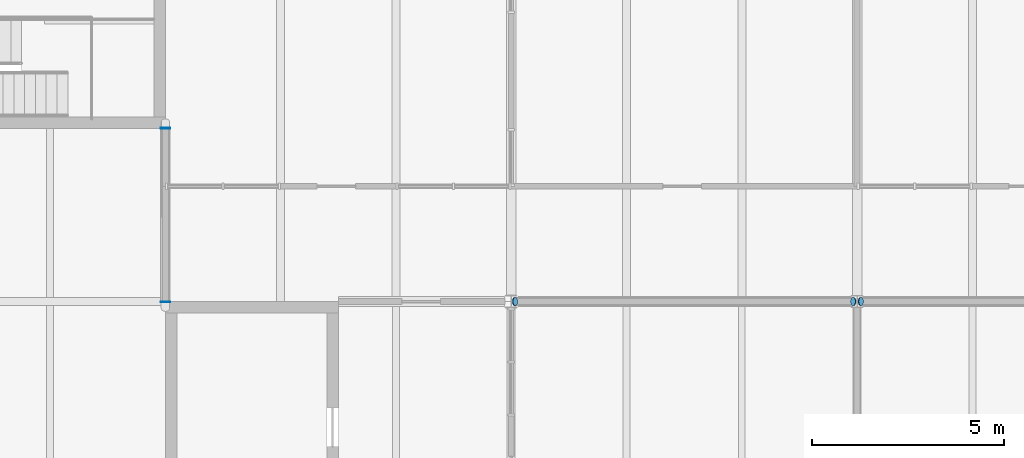
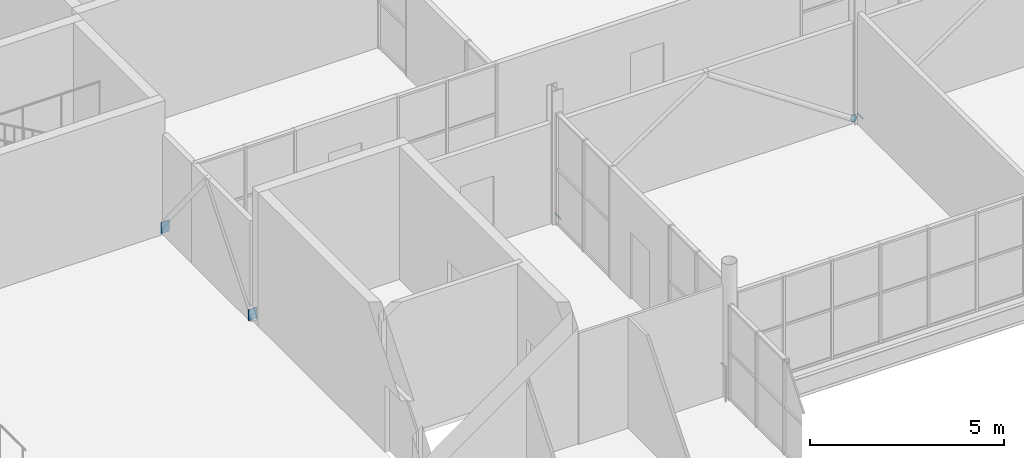
# One storey, part 44 of 57: 5 discrete accessories.
"""IFC4 building model written with IfcOpenShell, lengths in metres."""

from ifc_helpers import new_model, si_unit, direction, frame, origin, origin_2d, place, context, subcontext, project, spatial, rectangle, circle, extrude, element, save


model = new_model("IFC4")

# Units and contexts
model_context = context("Model", 3, precision=1e-05, world=origin(), true_north=direction((0.0, 1.0)))
body_context = subcontext(model_context, "Body", "Model", "MODEL_VIEW")
ifc_project = project(units=[si_unit("LENGTHUNIT", "METRE"), si_unit("AREAUNIT", "SQUARE_METRE"), si_unit("VOLUMEUNIT", "CUBIC_METRE"), si_unit("PLANEANGLEUNIT", "RADIAN"), si_unit("MASSUNIT", "GRAM", prefix="KILO")], contexts=[model_context])

# Site, building, storey
site_placement = place(None, origin())
site = spatial("IfcSite", under=ifc_project, at=site_placement, CompositionType="ELEMENT")
building_placement = place(site_placement, origin())
building = spatial("IfcBuilding", under=site, at=building_placement, Name="Halyard Row Museum", CompositionType="ELEMENT")
storey_placement = place(building_placement, frame((0.0, 0.0, 5.0)))
storey = spatial("IfcBuildingStorey", under=building, at=storey_placement, Name="L01", CompositionType="ELEMENT", Elevation=5.0)

# Discrete accessories
for number, where, z_axis, x_axis, name in (
    (1, (72.0, 36.0, 0.215087890625), (0.0, -1.0, 0.0), (1.0, 0.0, 0.0), "Brace L01 X72 36-40.5 A cast-in plate"),
    (2, (72.0, 40.5, 0.215087890625), (0.0, 1.0, 0.0), (-1.0, 0.0, 0.0), "Brace L01 X72 36-40.5 B cast-in plate"),
):
    element("IfcDiscreteAccessory", number, at=place(storey_placement, frame(where, z_axis=z_axis, x_axis=x_axis)), inside=storey, Name=name, PredefinedType="ANCHORPLATE", context=body_context, shape_type="SweptSolid", body=[
        extrude(rectangle(XDim=0.25, YDim=0.35009765625, at=origin_2d()), origin(), (0.0, 0.0, 1.0), 0.02001953125),
    ])
for number, where, z_axis, x_axis, name in (
    (3, (81.10546875, 36.0, 0.109619140625), (-0.828283413128, 0.0, -0.560309367704), (0.0, -1.0, 0.0), "Brace L01 Y36 81-90 A foot end plate"),
    (4, (89.8955078125, 36.0, 0.109619140625), (0.828283413128, 0.0, -0.560309367704), (0.0, 1.0, 0.0), "Brace L01 Y36 81-90 B foot end plate"),
    (5, (90.1044921875, 36.0, 0.109619140625), (-0.828283413128, 0.0, -0.560309367704), (0.0, -1.0, 0.0), "Brace L01 Y36 90-99 A foot end plate"),
):
    element("IfcDiscreteAccessory", number, at=place(storey_placement, frame(where, z_axis=z_axis, x_axis=x_axis)), inside=storey, Name=name, PredefinedType="BRACKET", context=body_context, shape_type="SweptSolid", body=[
        extrude(circle(Radius=0.109619140625, at=origin_2d()), origin(), (0.0, 0.0, 1.0), 0.02001953125),
    ])

save(model, "model.ifc")
